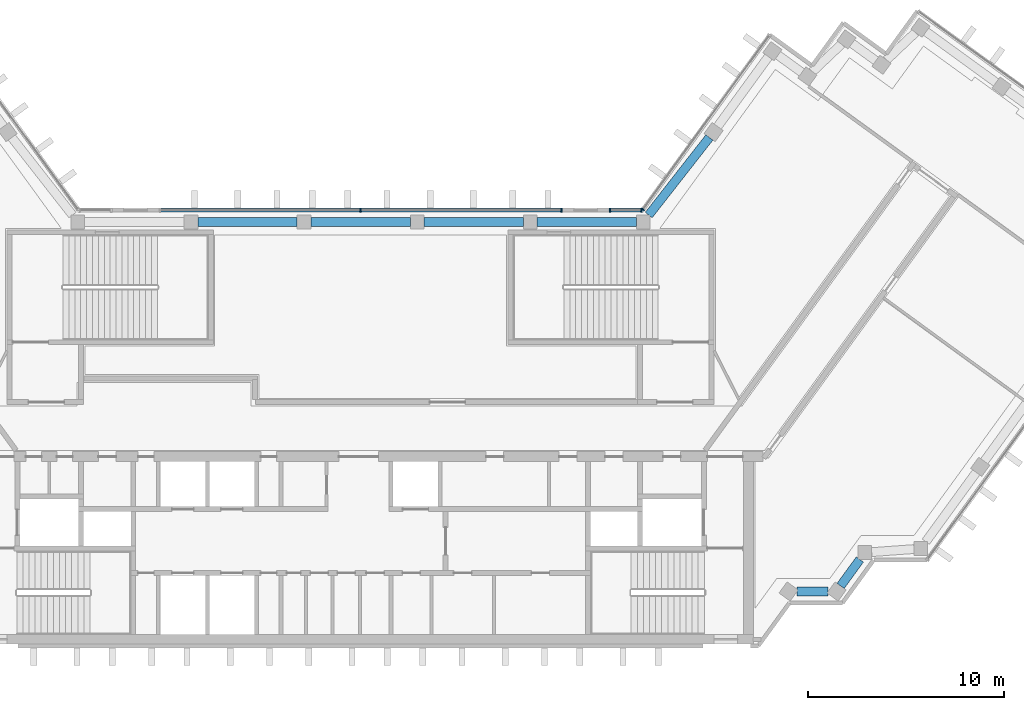
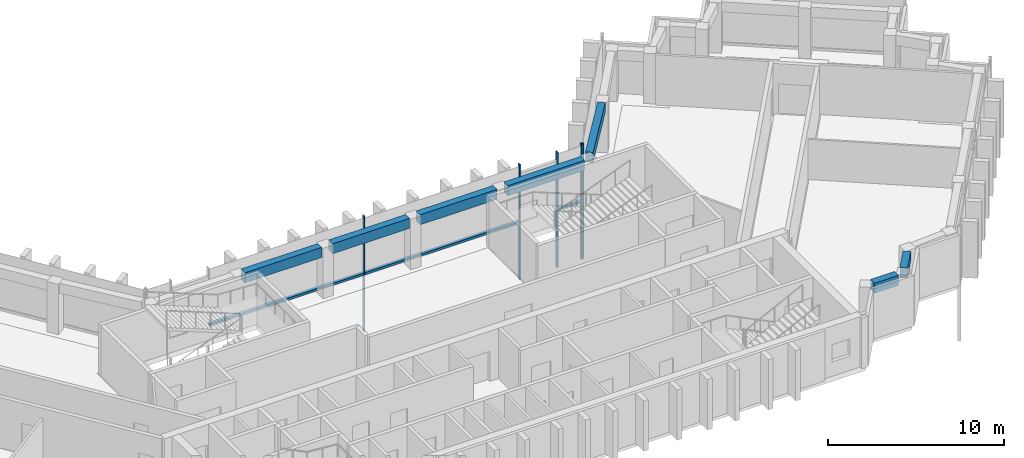
# One storey, part 3 of 13: 8 members, 7 beams, 3 elements without a shape of their own.
"""IFC4 building model written with IfcOpenShell, lengths in metres."""

from ifc_helpers import new_model, si_unit, direction, frame, origin, origin_2d, place, context, subcontext, project, spatial, rectangle, extrude, material, material_profile, profile_set, type_object, element, aggregate, save


model = new_model("IFC4")

# Units and contexts
model_context = context("Model", 3, precision=1e-05, world=origin(), true_north=direction((0.0, 1.0)))
body_context = subcontext(model_context, "Body", "Model", "MODEL_VIEW")
ifc_project = project(units=[si_unit("LENGTHUNIT", "METRE"), si_unit("AREAUNIT", "SQUARE_METRE"), si_unit("VOLUMEUNIT", "CUBIC_METRE"), si_unit("PLANEANGLEUNIT", "RADIAN"), si_unit("MASSUNIT", "GRAM", prefix="KILO")], contexts=[model_context])

# Site, building, storey
site_placement = place(None, origin())
site = spatial("IfcSite", under=ifc_project, at=site_placement, CompositionType="ELEMENT")
building_placement = place(site_placement, origin())
building = spatial("IfcBuilding", under=site, at=building_placement, Name="Quipu Civic Tower", CompositionType="ELEMENT")
storey_placement = place(building_placement, frame((0.0, 0.0, 269.0)))
storey = spatial("IfcBuildingStorey", under=building, at=storey_placement, Name="L63", CompositionType="ELEMENT", Elevation=269.0)

# Curtain wall, member
ifc_material_1 = material(Name="Insulated glass unit", Category="glass")
curtain_wall_type = type_object("IfcCurtainWallType", Name="Office curtain wall CW1", PredefinedType="NOTDEFINED", material=ifc_material_1)
curtain_wall_1_placement = place(storey_placement, origin())
curtain_wall_1 = element("IfcCurtainWall", 1, at=curtain_wall_1_placement, inside=storey, type_object=curtain_wall_type, Name="Office curtain wall CW1 L62 run 26", PredefinedType="NOTDEFINED")
ifc_material_2 = material(Name="Anodised aluminium", Category="aluminium")
ifc_material_profile_1 = material_profile(ifc_material_2, rectangle(XDim=0.199951171875, YDim=0.080078125, at=origin_2d()), Name="RECT 200x80")
ifc_profile_set_1 = profile_set([ifc_material_profile_1], Name="Anodised aluminium")
member_type_1 = type_object("IfcMemberType", Name="Mullion CW1", PredefinedType="MULLION", material=ifc_profile_set_1)
member_1_placement = place(storey_placement, frame((14.36767578125, 11.13232421875, -3.919921875), z_axis=(0.0, 0.0, 1.0), x_axis=(0.809015163947, -0.587787771652, 0.0)))
member_1 = element("IfcMember", 2, at=member_1_placement, type_object=member_type_1, Name="CW1 mullion 2", PredefinedType="MULLION", context=body_context, shape_type="SweptSolid", body=[
    extrude(rectangle(XDim=0.199951171875, YDim=0.080078125, at=origin_2d()), origin(), (0.0, 0.0, 1.0), 8.0),
])
aggregate(curtain_wall_1, [member_1])

# Curtain wall, members
curtain_wall_2_placement = place(storey_placement, origin())
curtain_wall_2 = element("IfcCurtainWall", 3, at=curtain_wall_2_placement, inside=storey, type_object=curtain_wall_type, Name="Office curtain wall CW1 L62 run 27", PredefinedType="NOTDEFINED")
member_2_placement = place(storey_placement, frame((14.30419921875, 11.10009765625, -3.919921875), z_axis=(0.0, 0.0, 1.0), x_axis=(0.0, -1.0, 0.0)))
member_2 = element("IfcMember", 4, at=member_2_placement, type_object=member_type_1, Name="CW1 mullion 1", PredefinedType="MULLION", context=body_context, shape_type="SweptSolid", body=[
    extrude(rectangle(XDim=0.199951171875, YDim=0.080078125, at=origin_2d()), origin(), (0.0, 0.0, 1.0), 8.0),
])
member_3_placement = place(storey_placement, frame((12.695068359375, 11.10009765625, -3.919921875), z_axis=(0.0, 0.0, 1.0), x_axis=(0.0, -1.0, 0.0)))
member_3 = element("IfcMember", 5, at=member_3_placement, type_object=member_type_1, Name="CW1 mullion 2", PredefinedType="MULLION", context=body_context, shape_type="SweptSolid", body=[
    extrude(rectangle(XDim=0.199951171875, YDim=0.080078125, at=origin_2d()), origin(), (0.0, 0.0, 1.0), 8.0),
])

curtain_wall_3_placement = place(storey_placement, origin())
curtain_wall_3 = element("IfcCurtainWall", 6, at=curtain_wall_3_placement, inside=storey, type_object=curtain_wall_type, Name="Office curtain wall CW1 L62 run 29", PredefinedType="NOTDEFINED")
member_4_placement = place(storey_placement, frame((10.223388671875, 11.10009765625, -3.919921875), z_axis=(0.0, 0.0, 1.0), x_axis=(0.0, -1.0, 0.0)))
member_4 = element("IfcMember", 7, at=member_4_placement, type_object=member_type_1, Name="CW1 mullion 1", PredefinedType="MULLION", context=body_context, shape_type="SweptSolid", body=[
    extrude(rectangle(XDim=0.199951171875, YDim=0.080078125, at=origin_2d()), origin(), (0.0, 0.0, 1.0), 8.0),
])
member_5_placement = place(storey_placement, frame((0.0, 11.10009765625, -3.919921875), z_axis=(0.0, 0.0, 1.0), x_axis=(0.0, -1.0, 0.0)))
member_5 = element("IfcMember", 8, at=member_5_placement, type_object=member_type_1, Name="CW1 mullion 2", PredefinedType="MULLION", context=body_context, shape_type="SweptSolid", body=[
    extrude(rectangle(XDim=0.199951171875, YDim=0.080078125, at=origin_2d()), origin(), (0.0, 0.0, 1.0), 8.0),
])

# Beams
ifc_material_3 = material(Name="Concrete C50/60", Category="concrete")
ifc_material_profile_2 = material_profile(ifc_material_3, rectangle(XDim=0.449951171875, YDim=0.699951171875, at=origin_2d()), Name="RC450x700")
ifc_profile_set_2 = profile_set([ifc_material_profile_2], Name="Concrete C50/60")
beam_type = type_object("IfcBeamType", Name="Spandrel beam RC 450x700 C50/60", PredefinedType="SPANDREL", material=ifc_profile_set_2)
beam_1_placement = place(storey_placement, frame((22.224365234375, -8.31494140625, 3.14990234375), z_axis=(1.0, 0.0, 0.0), x_axis=(0.0, 1.0, 0.0)))
element("IfcBeam", 9, at=beam_1_placement, inside=storey, type_object=beam_type, Name="Spandrel beam L63 J-Eo.1 to J-Eo.2", PredefinedType="SPANDREL", context=body_context, shape_type="SweptSolid", body=[
    extrude(rectangle(XDim=0.449951171875, YDim=0.699951171875, at=origin_2d()), origin(), (0.0, 0.0, 1.0), 1.578125),
])
beam_2_placement = place(storey_placement, frame((24.44091796875, -8.031982421875, 3.14990234375), z_axis=(0.588407300614, 0.80856468423, 0.0), x_axis=(-0.80856468423, 0.588407300614, 0.0)))
element("IfcBeam", 10, at=beam_2_placement, inside=storey, type_object=beam_type, Name="Spandrel beam L63 J-Eo.2 to J-Eo.3", PredefinedType="SPANDREL", context=body_context, shape_type="SweptSolid", body=[
    extrude(rectangle(XDim=0.449951171875, YDim=0.699951171875, at=origin_2d()), origin(), (0.0, 0.0, 1.0), 1.663330078125),
])
beam_3_placement = place(storey_placement, frame((17.7578125, 14.799072265625, 3.14990234375), z_axis=(-0.616106034519, -0.787663223865, 0.0), x_axis=(0.787663223865, -0.616106034519, 0.0)))
element("IfcBeam", 11, at=beam_3_placement, inside=storey, type_object=beam_type, Name="Spandrel beam L63 E-IN-01 to J-Ei.0", PredefinedType="SPANDREL", context=body_context, shape_type="SweptSolid", body=[
    extrude(rectangle(XDim=0.449951171875, YDim=0.699951171875, at=origin_2d()), origin(), (0.0, 0.0, 1.0), 5.013427734375),
])
for number, where, z_axis, x_axis, name in (
    (12, (14.045166015625, 10.5, 3.14990234375), (-1.0, 0.0, 0.0), (0.0, -1.0, 0.0), "Spandrel beam L63 J-Ei.0 to FRONT-01"),
    (13, (8.287109375, 10.5, 3.14990234375), (-1.0, 0.0, 0.0), (0.0, -1.0, 0.0), "Spandrel beam L63 FRONT-01 to FRONT-02"),
    (14, (2.529052734375, 10.5, 3.14990234375), (-1.0, 0.0, 0.0), (0.0, -1.0, 0.0), "Spandrel beam L63 FRONT-02 to FRONT-03"),
    (15, (-3.22900390625, 10.5, 3.14990234375), (-1.0, 0.0, 0.0), (0.0, -1.0, 0.0), "Spandrel beam L63 FRONT-03 to FRONT-04"),
):
    element("IfcBeam", number, at=place(storey_placement, frame(where, z_axis=z_axis, x_axis=x_axis)), inside=storey, type_object=beam_type, Name=name, PredefinedType="SPANDREL", context=body_context, shape_type="SweptSolid", body=[
        extrude(rectangle(XDim=0.449951171875, YDim=0.699951171875, at=origin_2d()), origin(), (0.0, 0.0, 1.0), 5.05810546875),
    ])

# Member
ifc_material_4 = material(Name="Anodised aluminium", Category="aluminium")
ifc_material_profile_3 = material_profile(ifc_material_4, rectangle(XDim=0.199951171875, YDim=0.159912109375, at=origin_2d()), Name="RECT 200x160")
ifc_profile_set_3 = profile_set([ifc_material_profile_3], Name="Anodised aluminium")
member_type_2 = type_object("IfcMemberType", Name="Transom CW1", PredefinedType="USERDEFINED", material=ifc_profile_set_3)
member_6_placement = place(storey_placement, frame((14.26416015625, 11.10009765625, 0.080078125), z_axis=(-1.0, 0.0, 0.0), x_axis=(0.0, -1.0, 0.0)))
member_6 = element("IfcMember", 16, at=member_6_placement, type_object=member_type_2, Name="CW1 transom 1.2", ObjectType="TRANSOM", PredefinedType="USERDEFINED", context=body_context, shape_type="SweptSolid", body=[
    extrude(rectangle(XDim=0.199951171875, YDim=0.159912109375, at=origin_2d()), origin(), (0.0, 0.0, 1.0), 1.529052734375),
])

aggregate(curtain_wall_2, [member_2, member_3, member_6])

member_7_placement = place(storey_placement, frame((10.18359375, 11.10009765625, 0.080078125), z_axis=(-1.0, 0.0, 0.0), x_axis=(0.0, -1.0, 0.0)))
member_7 = element("IfcMember", 17, at=member_7_placement, type_object=member_type_2, Name="CW1 transom 1.2", ObjectType="TRANSOM", PredefinedType="USERDEFINED", context=body_context, shape_type="SweptSolid", body=[
    extrude(rectangle(XDim=0.199951171875, YDim=0.159912109375, at=origin_2d()), origin(), (0.0, 0.0, 1.0), 10.1435546875),
])

member_8_placement = place(storey_placement, frame((-0.0400390625, 11.10009765625, 0.080078125), z_axis=(-1.0, 0.0, 0.0), x_axis=(0.0, -1.0, 0.0)))
member_8 = element("IfcMember", 18, at=member_8_placement, type_object=member_type_2, Name="CW1 transom 2.2", ObjectType="TRANSOM", PredefinedType="USERDEFINED", context=body_context, shape_type="SweptSolid", body=[
    extrude(rectangle(XDim=0.199951171875, YDim=0.159912109375, at=origin_2d()), origin(), (0.0, 0.0, 1.0), 10.1435546875),
])

aggregate(curtain_wall_3, [member_4, member_5, member_7, member_8])

save(model, "model.ifc")
